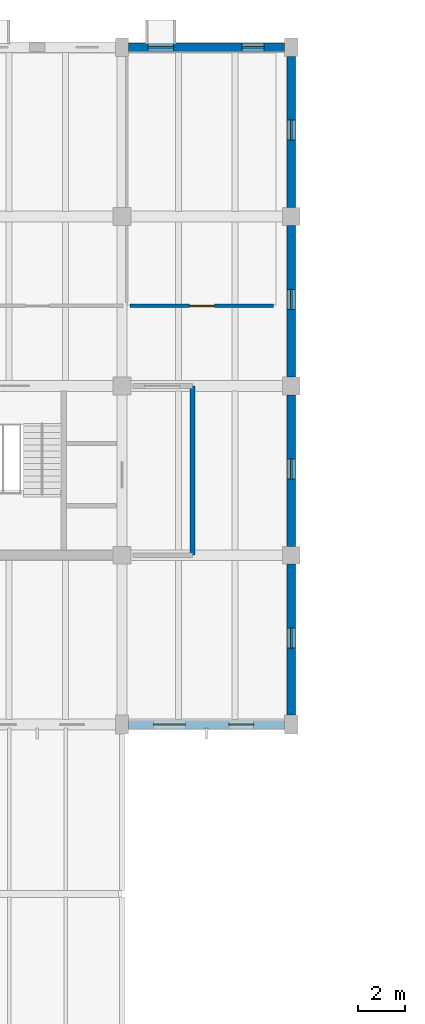
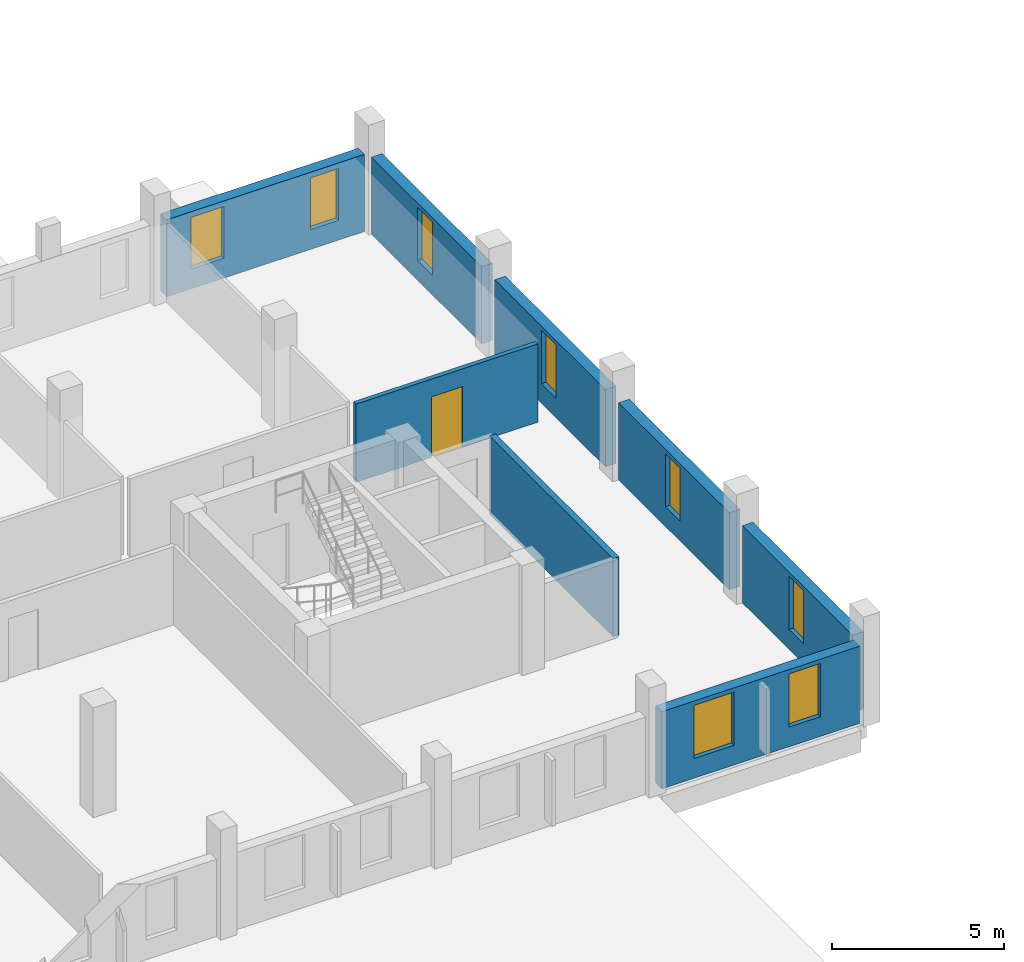
# One storey, part 29 of 32: 8 walls, 8 windows, 1 door, 9 openings.
"""IFC4 building model written with IfcOpenShell, lengths in metres."""

from ifc_helpers import new_model, si_unit, direction, frame, frame_2d, origin, place, context, subcontext, project, spatial, rectangle, extrude, material, layer, layer_set, type_object, element, fill, save


model = new_model("IFC4")

# Units and contexts
model_context = context("Model", 3, precision=1e-05, world=origin(), true_north=direction((0.0, 1.0)))
body_context = subcontext(model_context, "Body", "Model", "MODEL_VIEW")
ifc_project = project(units=[si_unit("LENGTHUNIT", "METRE"), si_unit("AREAUNIT", "SQUARE_METRE"), si_unit("VOLUMEUNIT", "CUBIC_METRE"), si_unit("PLANEANGLEUNIT", "RADIAN"), si_unit("MASSUNIT", "GRAM", prefix="KILO")], contexts=[model_context])

# Site, building, storey
site_placement = place(None, origin())
site = spatial("IfcSite", under=ifc_project, at=site_placement, CompositionType="ELEMENT")
building_placement = place(site_placement, origin())
building = spatial("IfcBuilding", under=site, at=building_placement, Name="Qiaolan Assembly House", CompositionType="ELEMENT")
storey_placement = place(building_placement, frame((0.0, 0.0, 18.60009765625)))
storey = spatial("IfcBuildingStorey", under=building, at=storey_placement, Name="L04", CompositionType="ELEMENT", Elevation=18.60009765625)

# Wall, openings, windows
ifc_material_1 = material(Name="Honed pale limestone", Category="masonry")
ifc_layer_1 = layer(ifc_material_1, 0.360107421875)
ifc_layer_set_1 = layer_set([ifc_layer_1], Name="Honed pale limestone")
wall_type_1 = type_object("IfcWallType", Name="WAL-EXT-LIMESTONE-360", PredefinedType="SOLIDWALL", material=ifc_layer_set_1)
wall_1_placement = place(storey_placement, frame((100.52197265625, 115.199951171875, 0.0), z_axis=(0.0, 0.0, 1.0), x_axis=(-1.0, 0.0, 0.0)))
wall_1 = element("IfcWall", 1, at=wall_1_placement, inside=storey, type_object=wall_type_1, Name="EW-360 NW North street wall L04 bay 9", PredefinedType="SOLIDWALL", context=body_context, shape_type="SweptSolid", body=[
    extrude(rectangle(XDim=6.64404296875, YDim=0.360107421875, at=frame_2d((3.322021484375, 0.0))), origin(), (0.0, 0.0, 1.0), 2.739990234375),
])
opening_1_placement = place(wall_1_placement, frame((0.8720703125, 0.0, 0.699951171875)))
opening_1 = element("IfcOpeningElement", 2, at=opening_1_placement, cuts=wall_1, Name="Opening WN-128", PredefinedType="OPENING", context=body_context, shape_type="SweptSolid", body=[
    extrude(rectangle(XDim=0.949951171875, YDim=1.840087890625, at=frame_2d((0.47509765625, 0.919921875))), frame((0.0, 0.18994140625, 0.0), z_axis=(0.0, -1.0, 0.0), x_axis=(1.0, 0.0, 0.0)), (0.0, 0.0, 1.0), 0.380126953125),
])
opening_2_placement = place(wall_1_placement, frame((4.721923828125, 0.0, 0.699951171875)))
opening_2 = element("IfcOpeningElement", 3, at=opening_2_placement, cuts=wall_1, Name="Opening WN-129", PredefinedType="OPENING", context=body_context, shape_type="SweptSolid", body=[
    extrude(rectangle(XDim=1.10009765625, YDim=1.840087890625, at=frame_2d((0.550048828125, 0.919921875))), frame((0.0, 0.18994140625, 0.0), z_axis=(0.0, -1.0, 0.0), x_axis=(1.0, 0.0, 0.0)), (0.0, 0.0, 1.0), 0.380126953125),
])
ifc_material_2 = material(Name="Low-E double insulating glass", Category="glass")
window_type_1 = type_object("IfcWindowType", Name="WIN-BOX-1100x2350", PartitioningType="SINGLE_PANEL", PredefinedType="WINDOW", material=ifc_material_2)
window_1_placement = place(opening_2_placement, origin())
window_1 = element("IfcWindow", 4, at=window_1_placement, inside=storey, type_object=window_type_1, Name="WN-T11 window WN-129", OverallHeight=1.840087890625, OverallWidth=1.10009765625, PartitioningType="SINGLE_PANEL", PredefinedType="WINDOW", context=body_context, shape_type="SweptSolid", body=[
    extrude(rectangle(XDim=1.10009765625, YDim=1.840087890625, at=frame_2d((0.550048828125, 0.919921875))), frame((0.0, 0.030029296875, 0.0), z_axis=(0.0, -1.0, 0.0), x_axis=(1.0, 0.0, 0.0)), (0.0, 0.0, 1.0), 0.06005859375),
])
fill(opening_2, window_1)
window_type_2 = type_object("IfcWindowType", Name="WIN-PUNCH-950x2400", PartitioningType="SINGLE_PANEL", PredefinedType="WINDOW", material=ifc_material_2)
window_2_placement = place(opening_1_placement, origin())
window_2 = element("IfcWindow", 5, at=window_2_placement, inside=storey, type_object=window_type_2, Name="WN-T06 window WN-128", OverallHeight=1.840087890625, OverallWidth=0.949951171875, PartitioningType="SINGLE_PANEL", PredefinedType="WINDOW", context=body_context, shape_type="SweptSolid", body=[
    extrude(rectangle(XDim=0.949951171875, YDim=1.840087890625, at=frame_2d((0.47509765625, 0.919921875))), frame((0.0, 0.030029296875, 0.0), z_axis=(0.0, -1.0, 0.0), x_axis=(1.0, 0.0, 0.0)), (0.0, 0.0, 1.0), 0.06005859375),
])
fill(opening_1, window_2)

wall_2_placement = place(storey_placement, frame((93.8779296875, 86.39990234375, 0.0), z_axis=(0.0, 0.0, 1.0), x_axis=(1.0, 0.0, 0.0)))
wall_2 = element("IfcWall", 6, at=wall_2_placement, inside=storey, type_object=wall_type_1, Name="EW-360 NW South court wall L04 bay 9", PredefinedType="SOLIDWALL", context=body_context, shape_type="SweptSolid", body=[
    extrude(rectangle(XDim=6.64404296875, YDim=0.360107421875, at=frame_2d((3.322021484375, 0.0))), origin(), (0.0, 0.0, 1.0), 2.739990234375),
])
opening_3_placement = place(wall_2_placement, frame((1.072021484375, 0.0, 0.699951171875)))
opening_3 = element("IfcOpeningElement", 7, at=opening_3_placement, cuts=wall_2, Name="Opening WN-146", PredefinedType="OPENING", context=body_context, shape_type="SweptSolid", body=[
    extrude(rectangle(XDim=1.35009765625, YDim=1.889892578125, at=frame_2d((0.675048828125, 0.94482421875))), frame((0.0, 0.18994140625, 0.0), z_axis=(0.0, -1.0, 0.0), x_axis=(1.0, 0.0, 0.0)), (0.0, 0.0, 1.0), 0.380126953125),
])
opening_4_placement = place(wall_2_placement, frame((4.27197265625, 0.0, 0.699951171875)))
opening_4 = element("IfcOpeningElement", 8, at=opening_4_placement, cuts=wall_2, Name="Opening WN-147", PredefinedType="OPENING", context=body_context, shape_type="SweptSolid", body=[
    extrude(rectangle(XDim=1.050048828125, YDim=1.889892578125, at=frame_2d((0.52490234375, 0.94482421875))), frame((0.0, 0.18994140625, 0.0), z_axis=(0.0, -1.0, 0.0), x_axis=(1.0, 0.0, 0.0)), (0.0, 0.0, 1.0), 0.380126953125),
])
window_type_3 = type_object("IfcWindowType", Name="WIN-COURT-1350x2400", PartitioningType="DOUBLE_PANEL_VERTICAL", PredefinedType="WINDOW", material=ifc_material_2)
window_3_placement = place(opening_3_placement, origin())
window_3 = element("IfcWindow", 9, at=window_3_placement, inside=storey, type_object=window_type_3, Name="WN-T04 court window WN-146", OverallHeight=1.889892578125, OverallWidth=1.35009765625, PartitioningType="DOUBLE_PANEL_VERTICAL", PredefinedType="WINDOW", context=body_context, shape_type="SweptSolid", body=[
    extrude(rectangle(XDim=1.35009765625, YDim=1.889892578125, at=frame_2d((0.675048828125, 0.94482421875))), frame((0.0, 0.030029296875, 0.0), z_axis=(0.0, -1.0, 0.0), x_axis=(1.0, 0.0, 0.0)), (0.0, 0.0, 1.0), 0.06005859375),
])
fill(opening_3, window_3)
window_type_4 = type_object("IfcWindowType", Name="WIN-PUNCH-1050x2400", PartitioningType="SINGLE_PANEL", PredefinedType="WINDOW", material=ifc_material_2)
window_4_placement = place(opening_4_placement, origin())
window_4 = element("IfcWindow", 10, at=window_4_placement, inside=storey, type_object=window_type_4, Name="WN-T05 court window WN-147", OverallHeight=1.889892578125, OverallWidth=1.050048828125, PartitioningType="SINGLE_PANEL", PredefinedType="WINDOW", context=body_context, shape_type="SweptSolid", body=[
    extrude(rectangle(XDim=1.050048828125, YDim=1.889892578125, at=frame_2d((0.52490234375, 0.94482421875))), frame((0.0, 0.030029296875, 0.0), z_axis=(0.0, -1.0, 0.0), x_axis=(1.0, 0.0, 0.0)), (0.0, 0.0, 1.0), 0.06005859375),
])
fill(opening_4, window_4)

# Wall, opening, window
wall_3_placement = place(storey_placement, frame((100.800048828125, 93.221923828125, 0.0), z_axis=(0.0, 0.0, 1.0), x_axis=(0.0, -1.0, 0.0)))
wall_3 = element("IfcWall", 11, at=wall_3_placement, inside=storey, type_object=wall_type_1, Name="NW East wall L04-1", PredefinedType="SOLIDWALL", context=body_context, shape_type="SweptSolid", body=[
    extrude(rectangle(XDim=6.42138671875, YDim=0.360107421875, at=frame_2d((3.210693359375, 0.0))), origin(), (0.0, 0.0, 1.0), 2.739990234375),
])
opening_5_placement = place(wall_3_placement, frame((2.721923828125, 0.0, 0.699951171875)))
opening_5 = element("IfcOpeningElement", 12, at=opening_5_placement, cuts=wall_3, Name="Opening WN-149", PredefinedType="OPENING", context=body_context, shape_type="SweptSolid", body=[
    extrude(rectangle(XDim=0.85009765625, YDim=1.889892578125, at=frame_2d((0.425048828125, 0.94482421875))), frame((0.0, 0.18994140625, 0.0), z_axis=(0.0, -1.0, 0.0), x_axis=(1.0, 0.0, 0.0)), (0.0, 0.0, 1.0), 0.380126953125),
])
window_type_5 = type_object("IfcWindowType", Name="WIN-END-850x2200", PartitioningType="SINGLE_PANEL", PredefinedType="WINDOW", material=ifc_material_2)
window_5_placement = place(opening_5_placement, origin())
window_5 = element("IfcWindow", 13, at=window_5_placement, inside=storey, type_object=window_type_5, Name="NW East window WN-149", OverallHeight=1.889892578125, OverallWidth=0.85009765625, PartitioningType="SINGLE_PANEL", PredefinedType="WINDOW", context=body_context, shape_type="SweptSolid", body=[
    extrude(rectangle(XDim=0.85009765625, YDim=1.889892578125, at=frame_2d((0.425048828125, 0.94482421875))), frame((0.0, 0.030029296875, 0.0), z_axis=(0.0, -1.0, 0.0), x_axis=(1.0, 0.0, 0.0)), (0.0, 0.0, 1.0), 0.06005859375),
])
fill(opening_5, window_5)

wall_4_placement = place(storey_placement, frame((100.800048828125, 100.422119140625, 0.0), z_axis=(0.0, 0.0, 1.0), x_axis=(0.0, -1.0, 0.0)))
wall_4 = element("IfcWall", 14, at=wall_4_placement, inside=storey, type_object=wall_type_1, Name="NW East wall L04-2", PredefinedType="SOLIDWALL", context=body_context, shape_type="SweptSolid", body=[
    extrude(rectangle(XDim=6.444091796875, YDim=0.360107421875, at=frame_2d((3.22216796875, 0.0))), origin(), (0.0, 0.0, 1.0), 2.739990234375),
])
opening_6_placement = place(wall_4_placement, frame((2.721923828125, 0.0, 0.699951171875)))
opening_6 = element("IfcOpeningElement", 15, at=opening_6_placement, cuts=wall_4, Name="Opening WN-151", PredefinedType="OPENING", context=body_context, shape_type="SweptSolid", body=[
    extrude(rectangle(XDim=0.85009765625, YDim=1.889892578125, at=frame_2d((0.425048828125, 0.94482421875))), frame((0.0, 0.18994140625, 0.0), z_axis=(0.0, -1.0, 0.0), x_axis=(1.0, 0.0, 0.0)), (0.0, 0.0, 1.0), 0.380126953125),
])
window_6_placement = place(opening_6_placement, origin())
window_6 = element("IfcWindow", 16, at=window_6_placement, inside=storey, type_object=window_type_5, Name="NW East window WN-151", OverallHeight=1.889892578125, OverallWidth=0.85009765625, PartitioningType="SINGLE_PANEL", PredefinedType="WINDOW", context=body_context, shape_type="SweptSolid", body=[
    extrude(rectangle(XDim=0.85009765625, YDim=1.889892578125, at=frame_2d((0.425048828125, 0.94482421875))), frame((0.0, 0.030029296875, 0.0), z_axis=(0.0, -1.0, 0.0), x_axis=(1.0, 0.0, 0.0)), (0.0, 0.0, 1.0), 0.06005859375),
])
fill(opening_6, window_6)

wall_5_placement = place(storey_placement, frame((100.800048828125, 107.6220703125, 0.0), z_axis=(0.0, 0.0, 1.0), x_axis=(0.0, -1.0, 0.0)))
wall_5 = element("IfcWall", 17, at=wall_5_placement, inside=storey, type_object=wall_type_1, Name="NW East wall L04-3", PredefinedType="SOLIDWALL", context=body_context, shape_type="SweptSolid", body=[
    extrude(rectangle(XDim=6.444091796875, YDim=0.360107421875, at=frame_2d((3.22216796875, 0.0))), origin(), (0.0, 0.0, 1.0), 2.739990234375),
])
opening_7_placement = place(wall_5_placement, frame((2.721923828125, 0.0, 0.699951171875)))
opening_7 = element("IfcOpeningElement", 18, at=opening_7_placement, cuts=wall_5, Name="Opening WN-153", PredefinedType="OPENING", context=body_context, shape_type="SweptSolid", body=[
    extrude(rectangle(XDim=0.85009765625, YDim=1.889892578125, at=frame_2d((0.425048828125, 0.94482421875))), frame((0.0, 0.18994140625, 0.0), z_axis=(0.0, -1.0, 0.0), x_axis=(1.0, 0.0, 0.0)), (0.0, 0.0, 1.0), 0.380126953125),
])
window_7_placement = place(opening_7_placement, origin())
window_7 = element("IfcWindow", 19, at=window_7_placement, inside=storey, type_object=window_type_5, Name="NW East window WN-153", OverallHeight=1.889892578125, OverallWidth=0.85009765625, PartitioningType="SINGLE_PANEL", PredefinedType="WINDOW", context=body_context, shape_type="SweptSolid", body=[
    extrude(rectangle(XDim=0.85009765625, YDim=1.889892578125, at=frame_2d((0.425048828125, 0.94482421875))), frame((0.0, 0.030029296875, 0.0), z_axis=(0.0, -1.0, 0.0), x_axis=(1.0, 0.0, 0.0)), (0.0, 0.0, 1.0), 0.06005859375),
])
fill(opening_7, window_7)

wall_6_placement = place(storey_placement, frame((100.800048828125, 114.799560546875, 0.0), z_axis=(0.0, 0.0, 1.0), x_axis=(0.0, -1.0, 0.0)))
wall_6 = element("IfcWall", 20, at=wall_6_placement, inside=storey, type_object=wall_type_1, Name="NW East wall L04-4", PredefinedType="SOLIDWALL", context=body_context, shape_type="SweptSolid", body=[
    extrude(rectangle(XDim=6.421630859375, YDim=0.360107421875, at=frame_2d((3.2109375, 0.0))), origin(), (0.0, 0.0, 1.0), 2.739990234375),
])
opening_8_placement = place(wall_6_placement, frame((2.699462890625, 0.0, 0.699951171875)))
opening_8 = element("IfcOpeningElement", 21, at=opening_8_placement, cuts=wall_6, Name="Opening WN-155", PredefinedType="OPENING", context=body_context, shape_type="SweptSolid", body=[
    extrude(rectangle(XDim=0.85009765625, YDim=1.889892578125, at=frame_2d((0.425048828125, 0.94482421875))), frame((0.0, 0.18994140625, 0.0), z_axis=(0.0, -1.0, 0.0), x_axis=(1.0, 0.0, 0.0)), (0.0, 0.0, 1.0), 0.380126953125),
])
window_8_placement = place(opening_8_placement, origin())
window_8 = element("IfcWindow", 22, at=window_8_placement, inside=storey, type_object=window_type_5, Name="NW East window WN-155", OverallHeight=1.889892578125, OverallWidth=0.85009765625, PartitioningType="SINGLE_PANEL", PredefinedType="WINDOW", context=body_context, shape_type="SweptSolid", body=[
    extrude(rectangle(XDim=0.85009765625, YDim=1.889892578125, at=frame_2d((0.425048828125, 0.94482421875))), frame((0.0, 0.030029296875, 0.0), z_axis=(0.0, -1.0, 0.0), x_axis=(1.0, 0.0, 0.0)), (0.0, 0.0, 1.0), 0.06005859375),
])
fill(opening_8, window_8)

# Wall
ifc_material_3 = material(Name="Concrete C35/45", Category="concrete")
ifc_layer_2 = layer(ifc_material_3, 0.199951171875)
ifc_layer_set_2 = layer_set([ifc_layer_2], Name="Concrete C35/45")
wall_type_2 = type_object("IfcWallType", Name="WAL-LOBBY-200", PredefinedType="PARTITIONING", material=ifc_layer_set_2)
wall_7_placement = place(storey_placement, frame((96.60009765625, 93.60009765625, 0.0), z_axis=(0.0, 0.0, 1.0), x_axis=(0.0, 1.0, 0.0)))
element("IfcWall", 23, at=wall_7_placement, inside=storey, type_object=wall_type_2, Name="Firefighting lift lobby east wall CORE-G L04", PredefinedType="PARTITIONING", context=body_context, shape_type="SweptSolid", body=[
    extrude(rectangle(XDim=7.199951171875, YDim=0.199951171875, at=frame_2d((3.60009765625, 0.0))), origin(), (0.0, 0.0, 1.0), 2.77978515625),
])

# Wall, opening, door
ifc_material_4 = material(Name="Gypsum plasterboard partition")
ifc_layer_3 = layer(ifc_material_4, 0.14990234375)
ifc_layer_set_3 = layer_set([ifc_layer_3], Name="Gypsum plasterboard partition")
wall_type_3 = type_object("IfcWallType", Name="WAL-PART-150", PredefinedType="PARTITIONING", material=ifc_layer_set_3)
wall_8_placement = place(storey_placement, frame((93.949951171875, 104.199951171875, 0.0), z_axis=(0.0, 0.0, 1.0), x_axis=(1.0, 0.0, 0.0)))
wall_8 = element("IfcWall", 24, at=wall_8_placement, inside=storey, type_object=wall_type_3, Name="Document Registry & Seal Custody Room corridor wall", PredefinedType="PARTITIONING", context=body_context, shape_type="SweptSolid", body=[
    extrude(rectangle(XDim=6.10009765625, YDim=0.14990234375, at=frame_2d((3.050048828125, 0.0))), origin(), (0.0, 0.0, 1.0), 2.77978515625),
])
opening_9_placement = place(wall_8_placement, frame((2.52490234375, 0.0, 0.0)))
opening_9 = element("IfcOpeningElement", 25, at=opening_9_placement, cuts=wall_8, Name="Opening ND-211", PredefinedType="OPENING", context=body_context, shape_type="SweptSolid", body=[
    extrude(rectangle(XDim=1.050048828125, YDim=2.14990234375, at=frame_2d((0.52490234375, 1.074951171875))), frame((0.0, 0.0849609375, 0.0), z_axis=(0.0, -1.0, 0.0), x_axis=(1.0, 0.0, 0.0)), (0.0, 0.0, 1.0), 0.169921875),
])
ifc_material_5 = material(Name="Acoustic oak panelling")
door_type = type_object("IfcDoorType", Name="DOR-OFF-LRG-1050", OperationType="NOTDEFINED", PredefinedType="DOOR", material=ifc_material_5)
door_placement = place(opening_9_placement, origin())
door = element("IfcDoor", 26, at=door_placement, inside=storey, type_object=door_type, Name="Document Registry & Seal Custody Room door ND-211", OperationType="SINGLE_SWING_LEFT", OverallHeight=2.14990234375, OverallWidth=1.050048828125, PredefinedType="DOOR", context=body_context, shape_type="SweptSolid", body=[
    extrude(rectangle(XDim=1.050048828125, YDim=2.14990234375, at=frame_2d((0.52490234375, 1.074951171875))), frame((0.0, 0.02490234375, 0.0), z_axis=(0.0, -1.0, 0.0), x_axis=(1.0, 0.0, 0.0)), (0.0, 0.0, 1.0), 0.050048828125),
])
fill(opening_9, door)

save(model, "model.ifc")
